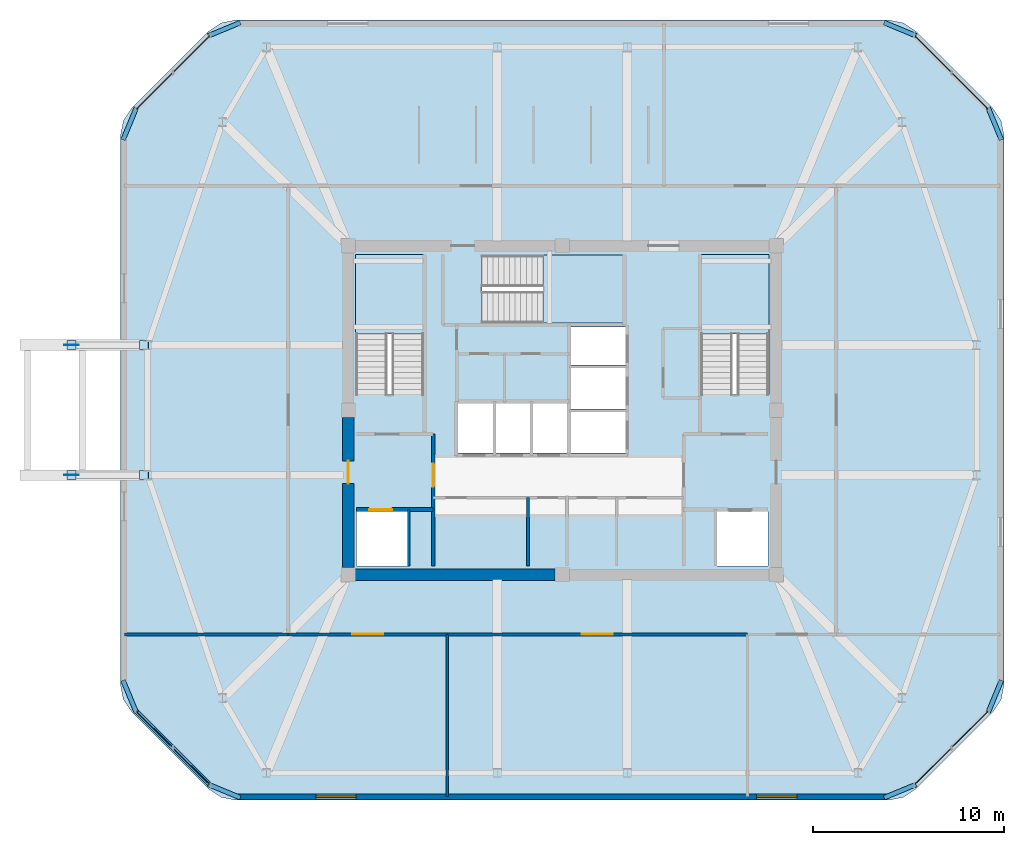
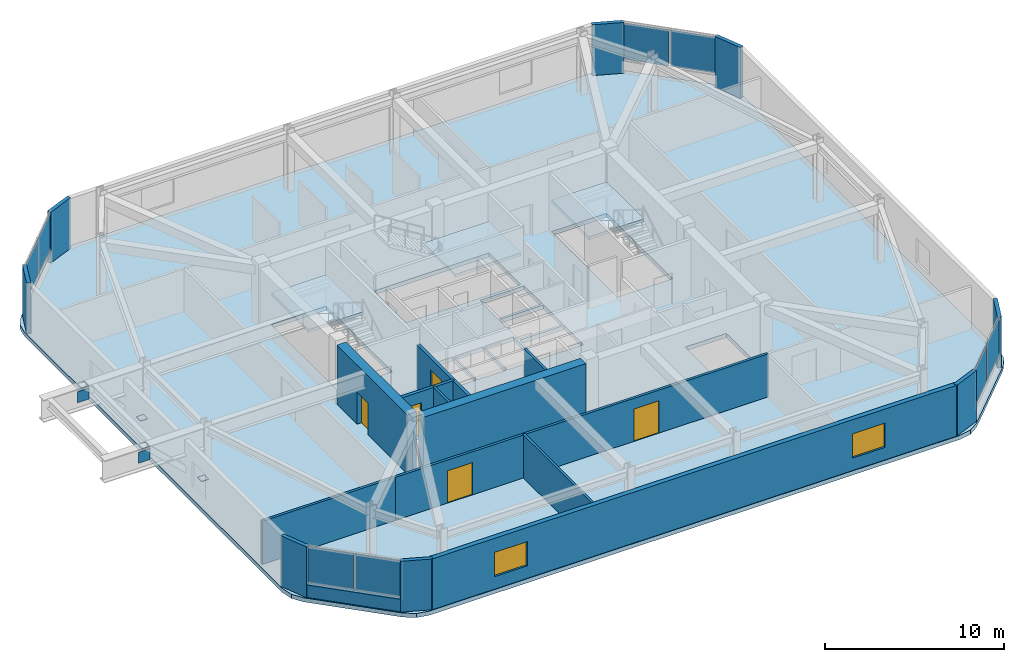
# One storey, part 5 of 9: 22 plates, 12 walls, 5 doors, 4 slabs, 2 windows, 7 openings, 7 elements without a shape of their own.
"""IFC4 building model written with IfcOpenShell, lengths in metres."""

from ifc_helpers import new_model, si_unit, derived_unit, direction, frame, frame_2d, origin, origin_2d, place, context, subcontext, project, spatial, polyline, rectangle, outline, extrude, material, layer, layer_set, type_object, element, fill, aggregate, save


model = new_model("IFC4")

# Units and contexts
model_context = context("Model", 3, precision=1e-05, world=origin(), true_north=direction((0.0, 1.0)))
body_context = subcontext(model_context, "Body", "Model", "MODEL_VIEW")
ifc_project = project(units=[si_unit("LENGTHUNIT", "METRE"), si_unit("AREAUNIT", "SQUARE_METRE"), si_unit("VOLUMEUNIT", "CUBIC_METRE"), si_unit("PLANEANGLEUNIT", "RADIAN"), si_unit("MASSUNIT", "GRAM", prefix="KILO"), derived_unit("THERMALTRANSMITTANCEUNIT", [(si_unit("POWERUNIT", "WATT"), 1), (si_unit("LENGTHUNIT", "METRE"), -2), (si_unit("THERMODYNAMICTEMPERATUREUNIT", "KELVIN"), -1)])], contexts=[model_context])

# Site, building, storey
site_placement = place(None, origin())
site = spatial("IfcSite", under=ifc_project, at=site_placement, CompositionType="ELEMENT")
building_placement = place(site_placement, origin())
building = spatial("IfcBuilding", under=site, at=building_placement, Name="Koralith Skygarden Medical Center", CompositionType="ELEMENT")
storey_placement = place(building_placement, frame((0.0, 0.0, 286.02001953125)))
storey = spatial("IfcBuildingStorey", under=building, at=storey_placement, Name="L74", CompositionType="ELEMENT", Elevation=286.02001953125)

# Curtain wall, plates
ifc_material_1 = material(Name="Clear Laminated Glass", Category="glass")
curtain_wall_type = type_object("IfcCurtainWallType", Name="CW-8 Crown Lookout Low-Iron Curtain Wall", PredefinedType="NOTDEFINED", material=ifc_material_1)
curtain_wall_1_placement = place(storey_placement, origin())
curtain_wall_1 = element("IfcCurtainWall", 1, at=curtain_wall_1_placement, inside=storey, type_object=curtain_wall_type, Name="Curtain Wall CW-L74-SE", PredefinedType="NOTDEFINED")
ifc_layer_1 = layer(ifc_material_1, 0.0439453125)
ifc_layer_set_1 = layer_set([ifc_layer_1], Name="Clear Laminated Glass")
plate_type_1 = type_object("IfcPlateType", Name="CW-8 Hurricane Laminated IGU Panel 44", PredefinedType="CURTAIN_PANEL", material=ifc_layer_set_1)
plate_1_placement = place(storey_placement, frame((56.376953125, 7.261962890625, 0.919921875), z_axis=(0.0, 0.0, 1.0), x_axis=(0.707106781187, 0.707106781187, 0.0)))
plate_1 = element("IfcPlate", 2, at=plate_1_placement, type_object=plate_type_1, Name="CW-L74-SE Glazed Panel 1", PredefinedType="CURTAIN_PANEL", context=body_context, shape_type="SweptSolid", body=[
    extrude(rectangle(XDim=2.68408203125, YDim=0.0439453125, at=origin_2d()), origin(), (0.0, 0.0, 1.0), 2.469970703125),
])
plate_2_placement = place(storey_placement, frame((58.337890625, 9.222900390625, 0.919921875), z_axis=(0.0, 0.0, 1.0), x_axis=(0.707106781187, 0.707106781187, 0.0)))
plate_2 = element("IfcPlate", 3, at=plate_2_placement, type_object=plate_type_1, Name="CW-L74-SE Glazed Panel 2", PredefinedType="CURTAIN_PANEL", context=body_context, shape_type="SweptSolid", body=[
    extrude(rectangle(XDim=2.68408203125, YDim=0.0439453125, at=origin_2d()), origin(), (0.0, 0.0, 1.0), 2.469970703125),
])
aggregate(curtain_wall_1, [plate_1, plate_2])

curtain_wall_2_placement = place(storey_placement, origin())
curtain_wall_2 = element("IfcCurtainWall", 4, at=curtain_wall_2_placement, inside=storey, type_object=curtain_wall_type, Name="Curtain Wall CW-L74-NE", PredefinedType="NOTDEFINED")
plate_3_placement = place(storey_placement, frame((58.337890625, 42.576904296875, 0.919921875), z_axis=(0.0, 0.0, 1.0), x_axis=(-0.707106781187, 0.707106781187, 0.0)))
plate_3 = element("IfcPlate", 5, at=plate_3_placement, type_object=plate_type_1, Name="CW-L74-NE Glazed Panel 1", PredefinedType="CURTAIN_PANEL", context=body_context, shape_type="SweptSolid", body=[
    extrude(rectangle(XDim=2.68408203125, YDim=0.0439453125, at=origin_2d()), origin(), (0.0, 0.0, 1.0), 2.469970703125),
])
plate_4_placement = place(storey_placement, frame((56.376953125, 44.5380859375, 0.919921875), z_axis=(0.0, 0.0, 1.0), x_axis=(-0.707106781187, 0.707106781187, 0.0)))
plate_4 = element("IfcPlate", 6, at=plate_4_placement, type_object=plate_type_1, Name="CW-L74-NE Glazed Panel 2", PredefinedType="CURTAIN_PANEL", context=body_context, shape_type="SweptSolid", body=[
    extrude(rectangle(XDim=2.68408203125, YDim=0.0439453125, at=origin_2d()), origin(), (0.0, 0.0, 1.0), 2.469970703125),
])
aggregate(curtain_wall_2, [plate_3, plate_4])

curtain_wall_3_placement = place(storey_placement, origin())
curtain_wall_3 = element("IfcCurtainWall", 7, at=curtain_wall_3_placement, inside=storey, type_object=curtain_wall_type, Name="Curtain Wall CW-L74-NW", PredefinedType="NOTDEFINED")
plate_5_placement = place(storey_placement, frame((17.623046875, 44.5380859375, 0.919921875), z_axis=(0.0, 0.0, 1.0), x_axis=(-0.707106781187, -0.707106781187, 0.0)))
plate_5 = element("IfcPlate", 8, at=plate_5_placement, type_object=plate_type_1, Name="CW-L74-NW Glazed Panel 1", PredefinedType="CURTAIN_PANEL", context=body_context, shape_type="SweptSolid", body=[
    extrude(rectangle(XDim=2.68408203125, YDim=0.0439453125, at=origin_2d()), origin(), (0.0, 0.0, 1.0), 2.469970703125),
])
plate_6_placement = place(storey_placement, frame((15.662109375, 42.576904296875, 0.919921875), z_axis=(0.0, 0.0, 1.0), x_axis=(-0.707106781187, -0.707106781187, 0.0)))
plate_6 = element("IfcPlate", 9, at=plate_6_placement, type_object=plate_type_1, Name="CW-L74-NW Glazed Panel 2", PredefinedType="CURTAIN_PANEL", context=body_context, shape_type="SweptSolid", body=[
    extrude(rectangle(XDim=2.68408203125, YDim=0.0439453125, at=origin_2d()), origin(), (0.0, 0.0, 1.0), 2.469970703125),
])
aggregate(curtain_wall_3, [plate_5, plate_6])

curtain_wall_4_placement = place(storey_placement, origin())
curtain_wall_4 = element("IfcCurtainWall", 10, at=curtain_wall_4_placement, inside=storey, type_object=curtain_wall_type, Name="Curtain Wall CW-L74-SW", PredefinedType="NOTDEFINED")
plate_7_placement = place(storey_placement, frame((15.662109375, 9.222900390625, 0.919921875), z_axis=(0.0, 0.0, 1.0), x_axis=(0.707106781187, -0.707106781187, 0.0)))
plate_7 = element("IfcPlate", 11, at=plate_7_placement, type_object=plate_type_1, Name="CW-L74-SW Glazed Panel 1", PredefinedType="CURTAIN_PANEL", context=body_context, shape_type="SweptSolid", body=[
    extrude(rectangle(XDim=2.68408203125, YDim=0.0439453125, at=origin_2d()), origin(), (0.0, 0.0, 1.0), 2.469970703125),
])
plate_8_placement = place(storey_placement, frame((17.623046875, 7.261962890625, 0.919921875), z_axis=(0.0, 0.0, 1.0), x_axis=(0.707106781187, -0.707106781187, 0.0)))
plate_8 = element("IfcPlate", 12, at=plate_8_placement, type_object=plate_type_1, Name="CW-L74-SW Glazed Panel 2", PredefinedType="CURTAIN_PANEL", context=body_context, shape_type="SweptSolid", body=[
    extrude(rectangle(XDim=2.68408203125, YDim=0.0439453125, at=origin_2d()), origin(), (0.0, 0.0, 1.0), 2.469970703125),
])
aggregate(curtain_wall_4, [plate_7, plate_8])

# Plates
ifc_material_2 = material(Name="Steel ASTM A572 Grade 50", Category="steel")
ifc_layer_2 = layer(ifc_material_2, 0.035888671875)
ifc_layer_set_2 = layer_set([ifc_layer_2], Name="Steel ASTM A572 Grade 50")
plate_type_2 = type_object("IfcPlateType", Name="Cantilever Truss Gusset Plate 36", PredefinedType="USERDEFINED", material=ifc_layer_set_2)
for number, where, z_axis, x_axis, name in (
    (13, (11.344970703125, 22.5, 2.885009765625), (0.0, 0.0, 1.0), (1.0, 0.0, 0.0), "L75 LNGE Cantilever Truss Gusset 1"),
    (14, (11.344970703125, 29.300048828125, 2.885009765625), (0.0, 0.0, 1.0), (1.0, 0.0, 0.0), "L75 LNGE Cantilever Truss Gusset 2"),
):
    element("IfcPlate", number, at=place(storey_placement, frame(where, z_axis=z_axis, x_axis=x_axis)), inside=storey, type_object=plate_type_2, Name=name, ObjectType="GUSSET_PLATE", PredefinedType="USERDEFINED", context=body_context, shape_type="SweptSolid", body=[
        extrude(rectangle(XDim=0.75, YDim=0.035888671875, at=origin_2d()), origin(), (0.0, 0.0, 1.0), 0.75),
    ])

# Stair, slab
ifc_material_3 = material(Name="Concrete C45/55", Category="concrete")
stair_type = type_object("IfcStairType", Name="Core Exit Dogleg Concrete Stair", PredefinedType="HALF_TURN_STAIR", material=ifc_material_3)
stair_1_placement = place(storey_placement, origin())
stair_1 = element("IfcStair", 15, at=stair_1_placement, inside=storey, type_object=stair_type, Name="L74 Smokeproof Exit Stair ST1", PredefinedType="HALF_TURN_STAIR")
ifc_layer_3 = layer(ifc_material_3, 0.199951171875)
ifc_layer_set_3 = layer_set([ifc_layer_3], Name="Concrete C45/55")
slab_type_1 = type_object("IfcSlabType", Name="Core Exit Concrete Stair Landing 200", PredefinedType="LANDING", material=ifc_layer_set_3)
slab_1_placement = place(storey_placement, frame((0.0, 0.0, 1.9599609375)))
slab_1 = element("IfcSlab", 16, at=slab_1_placement, type_object=slab_type_1, Name="ST1 landing 1", PredefinedType="LANDING", context=body_context, shape_type="SweptSolid", body=[
    extrude(outline(polyline([(29.75, 29.889892578125), (29.75, 34.050048828125), (26.199951171875, 34.050048828125), (26.199951171875, 29.889892578125), (29.75, 29.889892578125)])), origin(), (0.0, 0.0, 1.0), 0.199951171875),
])
aggregate(stair_1, [slab_1])

stair_2_placement = place(storey_placement, origin())
stair_2 = element("IfcStair", 17, at=stair_2_placement, inside=storey, type_object=stair_type, Name="L74 Smokeproof Exit Stair ST2", PredefinedType="HALF_TURN_STAIR")
slab_2_placement = place(storey_placement, frame((0.0, 0.0, 1.9599609375)))
slab_2 = element("IfcSlab", 18, at=slab_2_placement, type_object=slab_type_1, Name="ST2 landing 1", PredefinedType="LANDING", context=body_context, shape_type="SweptSolid", body=[
    extrude(outline(polyline([(47.800048828125, 29.889892578125), (47.800048828125, 34.050048828125), (44.25, 34.050048828125), (44.25, 29.889892578125), (47.800048828125, 29.889892578125)])), origin(), (0.0, 0.0, 1.0), 0.199951171875),
])
aggregate(stair_2, [slab_2])

stair_3_placement = place(storey_placement, origin())
stair_3 = element("IfcStair", 19, at=stair_3_placement, inside=storey, type_object=stair_type, Name="L74 Smokeproof Exit Stair ST3", PredefinedType="HALF_TURN_STAIR")
slab_3_placement = place(storey_placement, frame((0.0, 0.0, 1.9599609375)))
slab_3 = element("IfcSlab", 20, at=slab_3_placement, type_object=slab_type_1, Name="ST3 landing 1", PredefinedType="LANDING", context=body_context, shape_type="SweptSolid", body=[
    extrude(outline(polyline([(35.989990234375, 30.449951171875), (40.199951171875, 30.449951171875), (40.199951171875, 34.0), (35.989990234375, 34.0), (35.989990234375, 30.449951171875)])), origin(), (0.0, 0.0, 1.0), 0.199951171875),
])
aggregate(stair_3, [slab_3])

# Plates
ifc_layer_4 = layer(ifc_material_2, 0.02490234375)
ifc_layer_set_4 = layer_set([ifc_layer_4], Name="Steel ASTM A572 Grade 50")
plate_type_3 = type_object("IfcPlateType", Name="Hollow Section End Cap Plate 25", PredefinedType="SHEET", material=ifc_layer_set_4)
for number, where, z_axis, x_axis, name in (
    (21, (15.135009765625, 22.5, 0.387451171875), (0.0, 0.0, 1.0), (1.0, 0.0, 0.0), "L75 LNGE Truss Cap A-1"),
    (22, (11.344970703125, 22.5, 3.95751953125), (0.0, 0.0, 1.0), (1.0, 0.0, 0.0), "L75 LNGE Truss Cap B-1"),
    (23, (15.135009765625, 29.300048828125, 0.387451171875), (0.0, 0.0, 1.0), (1.0, 0.0, 0.0), "L75 LNGE Truss Cap A-2"),
    (24, (11.344970703125, 29.300048828125, 3.95751953125), (0.0, 0.0, 1.0), (1.0, 0.0, 0.0), "L75 LNGE Truss Cap B-2"),
):
    element("IfcPlate", number, at=place(storey_placement, frame(where, z_axis=z_axis, x_axis=x_axis)), inside=storey, type_object=plate_type_3, Name=name, PredefinedType="SHEET", context=body_context, shape_type="SweptSolid", body=[
        extrude(rectangle(XDim=0.4599609375, YDim=0.4599609375, at=origin_2d()), origin(), (0.0, 0.0, 1.0), 0.02490234375),
    ])

# Slab
ifc_layer_5 = layer(ifc_material_3, 0.280029296875)
ifc_layer_set_5 = layer_set([ifc_layer_5], Name="Concrete C45/55")
slab_type_2 = type_object("IfcSlabType", Name="Post-Tensioned Ward Floor Plate 280", PredefinedType="FLOOR", material=ifc_layer_set_5)
slab_4_placement = place(storey_placement, frame((0.0, 0.0, -0.280029296875)))
element("IfcSlab", 25, at=slab_4_placement, inside=storey, type_object=slab_type_2, Name="Level L74 Structural Floor Slab", PredefinedType="FLOOR", context=body_context, shape_type="SweptSolid", body=[
    extrude(outline(polyline([(18.513916015625, 6.0859375), (19.1630859375, 5.652099609375), (19.927978515625, 5.5), (54.072021484375, 5.5), (54.8369140625, 5.652099609375), (55.486083984375, 6.0859375), (59.513916015625, 10.114013671875), (59.947998046875, 10.762939453125), (60.10009765625, 11.528076171875), (60.10009765625, 40.27197265625), (59.947998046875, 41.037109375), (59.513916015625, 41.68603515625), (55.486083984375, 45.714111328125), (54.8369140625, 46.14794921875), (54.072021484375, 46.300048828125), (19.927978515625, 46.300048828125), (19.1630859375, 46.14794921875), (18.513916015625, 45.714111328125), (14.486083984375, 41.68603515625), (14.052001953125, 41.037109375), (13.89990234375, 40.27197265625), (13.89990234375, 11.528076171875), (14.052001953125, 10.762939453125), (14.486083984375, 10.114013671875), (18.513916015625, 6.0859375)]), holes=[polyline([(26.199951171875, 26.705078125), (29.75, 26.705078125), (29.75, 34.050048828125), (26.199951171875, 34.050048828125), (26.199951171875, 26.705078125)]), polyline([(44.25, 26.705078125), (47.800048828125, 26.705078125), (47.800048828125, 34.050048828125), (44.25, 34.050048828125), (44.25, 26.705078125)]), polyline([(32.804931640625, 30.449951171875), (40.199951171875, 30.449951171875), (40.199951171875, 34.0), (32.804931640625, 34.0), (32.804931640625, 30.449951171875)]), polyline([(26.25, 17.75), (28.89990234375, 17.75), (28.89990234375, 20.60009765625), (26.25, 20.60009765625), (26.25, 17.75)]), polyline([(45.10009765625, 17.75), (47.75, 17.75), (47.75, 20.60009765625), (45.10009765625, 20.60009765625), (45.10009765625, 17.75)]), polyline([(31.550048828125, 23.64990234375), (33.39990234375, 23.64990234375), (33.39990234375, 26.25), (31.550048828125, 26.25), (31.550048828125, 23.64990234375)]), polyline([(33.5, 23.64990234375), (35.35009765625, 23.64990234375), (35.35009765625, 26.25), (33.5, 26.25), (33.5, 23.64990234375)]), polyline([(35.449951171875, 23.64990234375), (37.300048828125, 23.64990234375), (37.300048828125, 26.25), (35.449951171875, 26.25), (35.449951171875, 23.64990234375)]), polyline([(37.449951171875, 23.64990234375), (40.300048828125, 23.64990234375), (40.300048828125, 25.800048828125), (37.449951171875, 25.800048828125), (37.449951171875, 23.64990234375)]), polyline([(37.449951171875, 25.949951171875), (40.300048828125, 25.949951171875), (40.300048828125, 28.10009765625), (37.449951171875, 28.10009765625), (37.449951171875, 25.949951171875)]), polyline([(37.449951171875, 28.25), (40.300048828125, 28.25), (40.300048828125, 30.25), (37.449951171875, 30.25), (37.449951171875, 28.25)])]), origin(), (0.0, 0.0, 1.0), 0.280029296875),
])

# Plates
ifc_material_4 = material(Name="Warm Oolitic Limestone Cladding", Category="masonry")
ifc_layer_6 = layer(ifc_material_4, 0.239990234375)
ifc_layer_set_6 = layer_set([ifc_layer_6], Name="Warm Oolitic Limestone Cladding")
plate_type_4 = type_object("IfcPlateType", Name="Rounded-Corner Oolitic Limestone Cladding Panel 240", PredefinedType="USERDEFINED", material=ifc_layer_set_6)
for number, where, z_axis, x_axis, name in (
    (26, (54.6708984375, 5.97998046875, 0.0), (0.0, 0.0, 1.0), (0.92388487569, 0.382670532536, 0.0), "L74 Rounded-Corner Limestone Pier 1"),
    (27, (59.6201171875, 10.929931640625, 0.0), (0.0, 0.0, 1.0), (0.382670532536, 0.92388487569, 0.0), "L74 Rounded-Corner Limestone Pier 2"),
    (28, (59.6201171875, 40.8701171875, 0.0), (0.0, 0.0, 1.0), (-0.382670532536, 0.92388487569, 0.0), "L74 Rounded-Corner Limestone Pier 3"),
    (29, (54.6708984375, 45.819091796875, 0.0), (0.0, 0.0, 1.0), (-0.92388487569, 0.382670532536, 0.0), "L74 Rounded-Corner Limestone Pier 4"),
    (30, (19.3291015625, 45.819091796875, 0.0), (0.0, 0.0, 1.0), (-0.92388487569, -0.382670532536, 0.0), "L74 Rounded-Corner Limestone Pier 5"),
    (31, (14.3798828125, 40.8701171875, 0.0), (0.0, 0.0, 1.0), (-0.382670532536, -0.92388487569, 0.0), "L74 Rounded-Corner Limestone Pier 6"),
    (32, (14.3798828125, 10.929931640625, 0.0), (0.0, 0.0, 1.0), (0.382670532536, -0.92388487569, 0.0), "L74 Rounded-Corner Limestone Pier 7"),
    (33, (19.3291015625, 5.97998046875, 0.0), (0.0, 0.0, 1.0), (0.92388487569, -0.382670532536, 0.0), "L74 Rounded-Corner Limestone Pier 8"),
):
    element("IfcPlate", number, at=place(storey_placement, frame(where, z_axis=z_axis, x_axis=x_axis)), inside=storey, type_object=plate_type_4, Name=name, ObjectType="LIMESTONE CLADDING", PredefinedType="USERDEFINED", context=body_context, shape_type="SweptSolid", body=[
        extrude(rectangle(XDim=1.81103515625, YDim=0.239990234375, at=origin_2d()), origin(), (0.0, 0.0, 1.0), 3.4599609375),
    ])

# Walls
ifc_material_5 = material(Name="Gypsum Board Partition")
ifc_layer_7 = layer(ifc_material_5, 0.14990234375)
ifc_layer_set_7 = layer_set([ifc_layer_7], Name="Gypsum Board Partition")
wall_type_1 = type_object("IfcWallType", Name="Clinical Acoustic Partition 150", PredefinedType="PARTITIONING", material=ifc_layer_set_7)
wall_1_placement = place(storey_placement, frame((35.199951171875, 17.75, 0.0), z_axis=(0.0, 0.0, 1.0), x_axis=(0.0, 1.0, 0.0)))
element("IfcWall", 34, at=wall_1_placement, inside=storey, type_object=wall_type_1, Name="L74 Clinical Acoustic Partition 150 W-CORE-L74-FREED-LR-M", PredefinedType="PARTITIONING", context=body_context, shape_type="SweptSolid", body=[
    extrude(rectangle(XDim=3.570068359375, YDim=0.14990234375, at=frame_2d((1.78515625, 0.0))), origin(), (0.0, 0.0, 1.0), 2.929931640625),
])
wall_2_placement = place(storey_placement, frame((30.989013671875, 14.169921875, 0.0), z_axis=(0.0, 0.0, 1.0), x_axis=(0.0, -1.0, 0.0)))
element("IfcWall", 35, at=wall_2_placement, inside=storey, type_object=wall_type_1, Name="L74 Clinical Acoustic Partition 150 W-CRPART-L74-S-1", PredefinedType="PARTITIONING", context=body_context, shape_type="SweptSolid", body=[
    extrude(rectangle(XDim=8.469970703125, YDim=0.14990234375, at=frame_2d((4.23486328125, 0.0))), origin(), (0.0, 0.0, 1.0), 2.929931640625),
])
ifc_layer_8 = layer(ifc_material_5, 0.1650390625)
ifc_layer_set_8 = layer_set([ifc_layer_8], Name="Gypsum Board Partition")
wall_type_2 = type_object("IfcWallType", Name="Clinical Corridor Partition 165", PredefinedType="PARTITIONING", material=ifc_layer_set_8)
wall_3_placement = place(storey_placement, frame((14.10009765625, 14.169921875, 0.0), z_axis=(0.0, 0.0, 1.0), x_axis=(1.0, 0.0, 0.0)))
element("IfcWall", 36, at=wall_3_placement, inside=storey, type_object=wall_type_2, Name="L74 Clinical Corridor Partition 165 W-WB-L74-SW", PredefinedType="PARTITIONING", context=body_context, shape_type="SweptSolid", body=[
    extrude(rectangle(XDim=8.56982421875, YDim=0.1650390625, at=frame_2d((4.284912109375, 0.0))), origin(), (0.0, 0.0, 1.0), 2.929931640625),
])

# Wall, opening, door
wall_4_placement = place(storey_placement, frame((22.669921875, 14.169921875, 0.0), z_axis=(0.0, 0.0, 1.0), x_axis=(1.0, 0.0, 0.0)))
wall_4 = element("IfcWall", 37, at=wall_4_placement, inside=storey, type_object=wall_type_2, Name="L74 Clinical Corridor Partition 165 W-CRCOR-L74-S-1", PredefinedType="PARTITIONING", context=body_context, shape_type="SweptSolid", body=[
    extrude(rectangle(XDim=8.319091796875, YDim=0.1650390625, at=frame_2d((4.15966796875, 0.0))), origin(), (0.0, 0.0, 1.0), 2.929931640625),
])
opening_1_placement = place(wall_4_placement, frame((3.35888671875, 0.0, 0.0)))
opening_1 = element("IfcOpeningElement", 38, at=opening_1_placement, cuts=wall_4, Name="Opening D-DBL", PredefinedType="OPENING", context=body_context, shape_type="SweptSolid", body=[
    extrude(rectangle(XDim=1.60009765625, YDim=2.199951171875, at=frame_2d((0.800048828125, 1.10009765625))), frame((0.0, 0.092529296875, 0.0), z_axis=(0.0, -1.0, 0.0), x_axis=(1.0, 0.0, 0.0)), (0.0, 0.0, 1.0), 0.18505859375),
])
ifc_material_6 = material(Name="Aluminium 6063-T6", Category="aluminium")
door_type_1 = type_object("IfcDoorType", Name="Double Clinical Suite Door D-DBL 1600", OperationType="NOTDEFINED", PredefinedType="DOOR", material=ifc_material_6)
door_1_placement = place(opening_1_placement, frame((1.60009765625, 0.0, 0.0), z_axis=(0.0, 0.0, 1.0), x_axis=(-1.0, 0.0, 0.0)))
door_1 = element("IfcDoor", 39, at=door_1_placement, inside=storey, type_object=door_type_1, Name="L74 Bioethics and Clinical Research Library Door", OperationType="DOUBLE_DOOR_SINGLE_SWING", OverallHeight=2.199951171875, OverallWidth=1.60009765625, PredefinedType="DOOR", context=body_context, shape_type="SweptSolid", body=[
    extrude(rectangle(XDim=1.60009765625, YDim=2.199951171875, at=frame_2d((0.800048828125, 1.10009765625))), frame((0.0, 0.02490234375, 0.0), z_axis=(0.0, -1.0, 0.0), x_axis=(1.0, 0.0, 0.0)), (0.0, 0.0, 1.0), 0.050048828125),
])
fill(opening_1, door_1)

wall_5_placement = place(storey_placement, frame((30.989013671875, 14.169921875, 0.0), z_axis=(0.0, 0.0, 1.0), x_axis=(1.0, 0.0, 0.0)))
wall_5 = element("IfcWall", 40, at=wall_5_placement, inside=storey, type_object=wall_type_2, Name="L74 Clinical Corridor Partition 165 W-CRCOR-L74-S-2", PredefinedType="PARTITIONING", context=body_context, shape_type="SweptSolid", body=[
    extrude(rectangle(XDim=15.68896484375, YDim=0.1650390625, at=frame_2d((7.844482421875, 0.0))), origin(), (0.0, 0.0, 1.0), 2.929931640625),
])
opening_2_placement = place(wall_5_placement, frame((7.0439453125, 0.0, 0.0)))
opening_2 = element("IfcOpeningElement", 41, at=opening_2_placement, cuts=wall_5, Name="Opening D-DBL", PredefinedType="OPENING", context=body_context, shape_type="SweptSolid", body=[
    extrude(rectangle(XDim=1.60009765625, YDim=2.199951171875, at=frame_2d((0.800048828125, 1.10009765625))), frame((0.0, 0.092529296875, 0.0), z_axis=(0.0, -1.0, 0.0), x_axis=(1.0, 0.0, 0.0)), (0.0, 0.0, 1.0), 0.18505859375),
])
door_2_placement = place(opening_2_placement, frame((1.60009765625, 0.0, 0.0), z_axis=(0.0, 0.0, 1.0), x_axis=(-1.0, 0.0, 0.0)))
door_2 = element("IfcDoor", 42, at=door_2_placement, inside=storey, type_object=door_type_1, Name="L74 Academic Board and Seminar Room Door", OperationType="DOUBLE_DOOR_SINGLE_SWING", OverallHeight=2.199951171875, OverallWidth=1.60009765625, PredefinedType="DOOR", context=body_context, shape_type="SweptSolid", body=[
    extrude(rectangle(XDim=1.60009765625, YDim=2.199951171875, at=frame_2d((0.800048828125, 1.10009765625))), frame((0.0, 0.02490234375, 0.0), z_axis=(0.0, -1.0, 0.0), x_axis=(1.0, 0.0, 0.0)), (0.0, 0.0, 1.0), 0.050048828125),
])
fill(opening_2, door_2)

ifc_layer_9 = layer(ifc_material_5, 0.199951171875)
ifc_layer_set_9 = layer_set([ifc_layer_9], Name="Gypsum Board Partition")
wall_type_3 = type_object("IfcWallType", Name="Fire Shaft Wall 200", PredefinedType="SOLIDWALL", material=ifc_layer_set_9)
wall_6_placement = place(storey_placement, frame((26.25, 20.699951171875, 0.0), z_axis=(0.0, 0.0, 1.0), x_axis=(1.0, 0.0, 0.0)))
wall_6 = element("IfcWall", 43, at=wall_6_placement, inside=storey, type_object=wall_type_3, Name="L74 Fire Shaft Wall 200 W-CORE-L74-FF1-N", PredefinedType="SOLIDWALL", context=body_context, shape_type="SweptSolid", body=[
    extrude(rectangle(XDim=4.0, YDim=0.199951171875, at=frame_2d((2.0, 0.0))), origin(), (0.0, 0.0, 1.0), 2.929931640625),
])
opening_3_placement = place(wall_6_placement, frame((0.64990234375, 0.0, 0.0)))
opening_3 = element("IfcOpeningElement", 44, at=opening_3_placement, cuts=wall_6, Name="Opening LD-FF", PredefinedType="OPENING", context=body_context, shape_type="SweptSolid", body=[
    extrude(rectangle(XDim=1.199951171875, YDim=2.14990234375, at=frame_2d((0.60009765625, 1.074951171875))), frame((0.0, 0.10986328125, 0.0), z_axis=(0.0, -1.0, 0.0), x_axis=(1.0, 0.0, 0.0)), (0.0, 0.0, 1.0), 0.219970703125),
])
ifc_material_7 = material(Name="Steel ASTM A500 Grade C", Category="steel")
door_type_2 = type_object("IfcDoorType", Name="Fire Lift Sliding Landing Door LD-FF 1200", OperationType="NOTDEFINED", PredefinedType="DOOR", material=ifc_material_7)
door_3_placement = place(opening_3_placement, origin())
door_3 = element("IfcDoor", 45, at=door_3_placement, inside=storey, type_object=door_type_2, Name="L74 Fire Service Elevator FF1 Landing Door", OperationType="SLIDING_TO_LEFT", OverallHeight=2.14990234375, OverallWidth=1.199951171875, PredefinedType="DOOR", context=body_context, shape_type="SweptSolid", body=[
    extrude(rectangle(XDim=1.199951171875, YDim=2.14990234375, at=frame_2d((0.60009765625, 1.074951171875))), frame((0.0, 0.02490234375, 0.0), z_axis=(0.0, -1.0, 0.0), x_axis=(1.0, 0.0, 0.0)), (0.0, 0.0, 1.0), 0.050048828125),
])
fill(opening_3, door_3)

wall_7_placement = place(storey_placement, frame((30.25, 17.75, 0.0), z_axis=(0.0, 0.0, 1.0), x_axis=(0.0, 1.0, 0.0)))
wall_7 = element("IfcWall", 46, at=wall_7_placement, inside=storey, type_object=wall_type_3, Name="L74 Fire Shaft Wall 200 W-CORE-L74-FSAEW-E", PredefinedType="SOLIDWALL", context=body_context, shape_type="SweptSolid", body=[
    extrude(rectangle(XDim=6.89990234375, YDim=0.199951171875, at=frame_2d((3.449951171875, 0.0))), origin(), (0.0, 0.0, 1.0), 2.929931640625),
])
opening_4_placement = place(wall_7_placement, frame((4.14990234375, 0.0, 0.0)))
opening_4 = element("IfcOpeningElement", 47, at=opening_4_placement, cuts=wall_7, Name="Opening D-ST60", PredefinedType="OPENING", context=body_context, shape_type="SweptSolid", body=[
    extrude(rectangle(XDim=1.199951171875, YDim=2.14990234375, at=frame_2d((0.60009765625, 1.074951171875))), frame((0.0, 0.10986328125, 0.0), z_axis=(0.0, -1.0, 0.0), x_axis=(1.0, 0.0, 0.0)), (0.0, 0.0, 1.0), 0.219970703125),
])
door_type_3 = type_object("IfcDoorType", Name="Smokeproof Stair Fire Door FD60S 1200", OperationType="NOTDEFINED", PredefinedType="DOOR", material=ifc_material_7)
door_4_placement = place(opening_4_placement, origin())
door_4 = element("IfcDoor", 48, at=door_4_placement, inside=storey, type_object=door_type_3, Name="L74 West Firefighting Lobby Inner Fire Door", OperationType="SINGLE_SWING_LEFT", OverallHeight=2.14990234375, OverallWidth=1.199951171875, PredefinedType="DOOR", context=body_context, shape_type="SweptSolid", body=[
    extrude(rectangle(XDim=1.199951171875, YDim=2.14990234375, at=frame_2d((0.60009765625, 1.074951171875))), frame((0.0, 0.02490234375, 0.0), z_axis=(0.0, -1.0, 0.0), x_axis=(1.0, 0.0, 0.0)), (0.0, 0.0, 1.0), 0.050048828125),
])
fill(opening_4, door_4)

# Wall
ifc_layer_10 = layer(ifc_material_4, 0.239990234375)
ifc_layer_set_10 = layer_set([ifc_layer_10], Name="Warm Oolitic Limestone Cladding")
wall_type_4 = type_object("IfcWallType", Name="Limestone Spandrel Sill Backup Wall 240", PredefinedType="SOLIDWALL", material=ifc_layer_set_10)
wall_8_placement = place(storey_placement, frame((14.680908203125, 10.2041015625, 0.0), z_axis=(0.0, 0.0, 1.0), x_axis=(0.707106781187, -0.707106781187, 0.0)))
element("IfcWall", 49, at=wall_8_placement, inside=storey, type_object=wall_type_4, Name="L74 Sill Spandrel SW", PredefinedType="SOLIDWALL", context=body_context, shape_type="SweptSolid", body=[
    extrude(rectangle(XDim=5.548095703125, YDim=0.239990234375, at=frame_2d((2.77392578125, 0.0))), origin(), (0.0, 0.0, 1.0), 0.85009765625),
])

# Wall, openings, windows
ifc_layer_11 = layer(ifc_material_4, 0.300048828125)
ifc_layer_set_11 = layer_set([ifc_layer_11], Name="Warm Oolitic Limestone Cladding")
wall_type_5 = type_object("IfcWallType", Name="Oolitic Limestone Insulated Facade Wall 300", PredefinedType="SOLIDWALL", material=ifc_layer_set_11)
wall_9_placement = place(storey_placement, frame((20.054931640625, 5.679931640625, 0.0), z_axis=(0.0, 0.0, 1.0), x_axis=(1.0, 0.0, 0.0)))
wall_9 = element("IfcWall", 50, at=wall_9_placement, inside=storey, type_object=wall_type_5, Name="L74 Crown Limestone Wall S", PredefinedType="SOLIDWALL", context=body_context, shape_type="SweptSolid", body=[
    extrude(rectangle(XDim=33.89013671875, YDim=0.300048828125, at=frame_2d((16.945068359375, 0.0))), origin(), (0.0, 0.0, 1.0), 3.4599609375),
])
opening_5_placement = place(wall_9_placement, frame((4.06689453125, 0.0, 0.85009765625)))
opening_5 = element("IfcOpeningElement", 51, at=opening_5_placement, cuts=wall_9, Name="Opening W-05", PredefinedType="OPENING", context=body_context, shape_type="SweptSolid", body=[
    extrude(rectangle(XDim=2.10009765625, YDim=1.64990234375, at=frame_2d((1.050048828125, 0.824951171875))), frame((0.0, 0.159912109375, 0.0), z_axis=(0.0, -1.0, 0.0), x_axis=(1.0, 0.0, 0.0)), (0.0, 0.0, 1.0), 0.320068359375),
])
opening_6_placement = place(wall_9_placement, frame((27.111083984375, 0.0, 0.85009765625)))
opening_6 = element("IfcOpeningElement", 52, at=opening_6_placement, cuts=wall_9, Name="Opening W-05", PredefinedType="OPENING", context=body_context, shape_type="SweptSolid", body=[
    extrude(rectangle(XDim=2.10009765625, YDim=1.64990234375, at=frame_2d((1.050048828125, 0.824951171875))), frame((0.0, 0.159912109375, 0.0), z_axis=(0.0, -1.0, 0.0), x_axis=(1.0, 0.0, 0.0)), (0.0, 0.0, 1.0), 0.320068359375),
])
window_type = type_object("IfcWindowType", Name="Sky-Pool Lounge Picture Window W-05 2100x1650", PartitioningType="SINGLE_PANEL", PredefinedType="WINDOW", material=ifc_material_1)
window_1_placement = place(opening_5_placement, origin())
window_1 = element("IfcWindow", 53, at=window_1_placement, inside=storey, type_object=window_type, Name="L74 S Crown Window 1", OverallHeight=1.64990234375, OverallWidth=2.10009765625, PartitioningType="SINGLE_PANEL", PredefinedType="WINDOW", context=body_context, shape_type="SweptSolid", body=[
    extrude(rectangle(XDim=2.10009765625, YDim=1.64990234375, at=frame_2d((1.050048828125, 0.824951171875))), frame((0.0, 0.030029296875, 0.0), z_axis=(0.0, -1.0, 0.0), x_axis=(1.0, 0.0, 0.0)), (0.0, 0.0, 1.0), 0.06005859375),
])
fill(opening_5, window_1)
window_2_placement = place(opening_6_placement, origin())
window_2 = element("IfcWindow", 54, at=window_2_placement, inside=storey, type_object=window_type, Name="L74 S Crown Window 2", OverallHeight=1.64990234375, OverallWidth=2.10009765625, PartitioningType="SINGLE_PANEL", PredefinedType="WINDOW", context=body_context, shape_type="SweptSolid", body=[
    extrude(rectangle(XDim=2.10009765625, YDim=1.64990234375, at=frame_2d((1.050048828125, 0.824951171875))), frame((0.0, 0.030029296875, 0.0), z_axis=(0.0, -1.0, 0.0), x_axis=(1.0, 0.0, 0.0)), (0.0, 0.0, 1.0), 0.06005859375),
])
fill(opening_6, window_2)

# Walls
ifc_layer_12 = layer(ifc_material_5, 0.14990234375)
ifc_layer_set_12 = layer_set([ifc_layer_12], Name="Gypsum Board Partition")
wall_type_6 = type_object("IfcWallType", Name="Shaft Partition Wall 150", PredefinedType="PARTITIONING", material=ifc_layer_set_12)
wall_10_placement = place(storey_placement, frame((28.969970703125, 17.75, 0.0), z_axis=(0.0, 0.0, 1.0), x_axis=(0.0, 1.0, 0.0)))
element("IfcWall", 55, at=wall_10_placement, inside=storey, type_object=wall_type_6, Name="L74 Shaft Partition Wall 150 W-CORE-L74-RSRW-DIV", PredefinedType="PARTITIONING", context=body_context, shape_type="SweptSolid", body=[
    extrude(rectangle(XDim=2.949951171875, YDim=0.14990234375, at=frame_2d((1.47509765625, 0.0))), origin(), (0.0, 0.0, 1.0), 2.929931640625),
])
ifc_material_8 = material(Name="Concrete C55/67", Category="concrete")
ifc_layer_13 = layer(ifc_material_8, 0.60009765625)
ifc_layer_set_13 = layer_set([ifc_layer_13], Name="Concrete C55/67")
wall_type_7 = type_object("IfcWallType", Name="Upper Core Shear Wall 600", PredefinedType="SHEAR", material=ifc_layer_set_13)
wall_11_placement = place(storey_placement, frame((26.175048828125, 17.300048828125, 0.0), z_axis=(0.0, 0.0, 1.0), x_axis=(1.0, 0.0, 0.0)))
element("IfcWall", 56, at=wall_11_placement, inside=storey, type_object=wall_type_7, Name="L74 Core Shear Wall Segment 1", PredefinedType="SHEAR", context=body_context, shape_type="SweptSolid", body=[
    extrude(rectangle(XDim=10.449951171875, YDim=0.60009765625, at=frame_2d((5.22509765625, 0.0))), origin(), (0.0, 0.0, 1.0), 4.02001953125),
])

# Wall, opening, door
wall_12_placement = place(storey_placement, frame((25.800048828125, 25.52490234375, 0.0), z_axis=(0.0, 0.0, 1.0), x_axis=(0.0, -1.0, 0.0)))
wall_12 = element("IfcWall", 57, at=wall_12_placement, inside=storey, type_object=wall_type_7, Name="L74 Core Shear Wall Segment 8", PredefinedType="SHEAR", context=body_context, shape_type="SweptSolid", body=[
    extrude(rectangle(XDim=7.849853515625, YDim=0.60009765625, at=frame_2d((3.9248046875, 0.0))), origin(), (0.0, 0.0, 1.0), 4.02001953125),
])
opening_7_placement = place(wall_12_placement, frame((2.27490234375, 0.0, 0.0)))
opening_7 = element("IfcOpeningElement", 58, at=opening_7_placement, cuts=wall_12, Name="Opening D-ST60", PredefinedType="OPENING", context=body_context, shape_type="SweptSolid", body=[
    extrude(rectangle(XDim=1.199951171875, YDim=2.14990234375, at=frame_2d((0.60009765625, 1.074951171875))), frame((0.0, 0.31005859375, 0.0), z_axis=(0.0, -1.0, 0.0), x_axis=(1.0, 0.0, 0.0)), (0.0, 0.0, 1.0), 0.6201171875),
])
door_5_placement = place(opening_7_placement, frame((1.199951171875, 0.0, 0.0), z_axis=(0.0, 0.0, 1.0), x_axis=(-1.0, 0.0, 0.0)))
door_5 = element("IfcDoor", 59, at=door_5_placement, inside=storey, type_object=door_type_3, Name="L74 West Corridor to Firefighting Lobby Door", OperationType="SINGLE_SWING_LEFT", OverallHeight=2.14990234375, OverallWidth=1.199951171875, PredefinedType="DOOR", context=body_context, shape_type="SweptSolid", body=[
    extrude(rectangle(XDim=1.199951171875, YDim=2.14990234375, at=frame_2d((0.60009765625, 1.074951171875))), frame((0.0, 0.02490234375, 0.0), z_axis=(0.0, -1.0, 0.0), x_axis=(1.0, 0.0, 0.0)), (0.0, 0.0, 1.0), 0.050048828125),
])
fill(opening_7, door_5)

save(model, "model.ifc")
